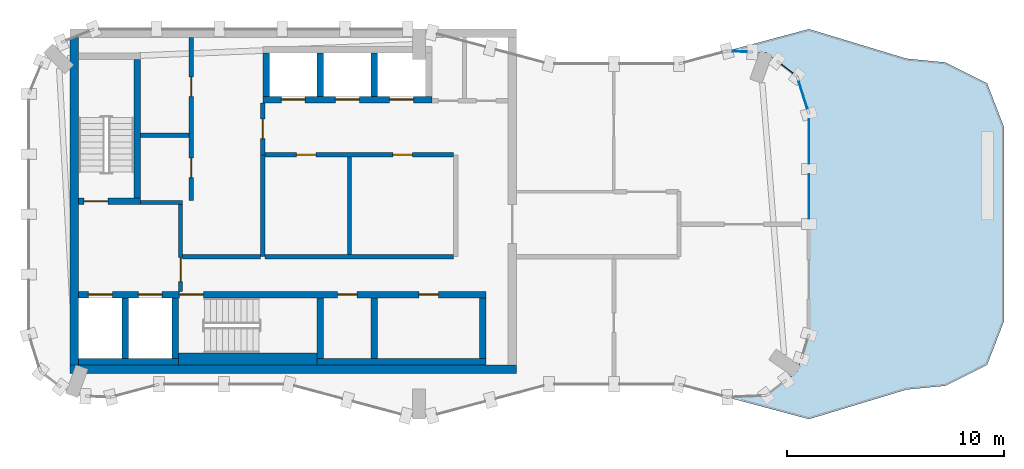
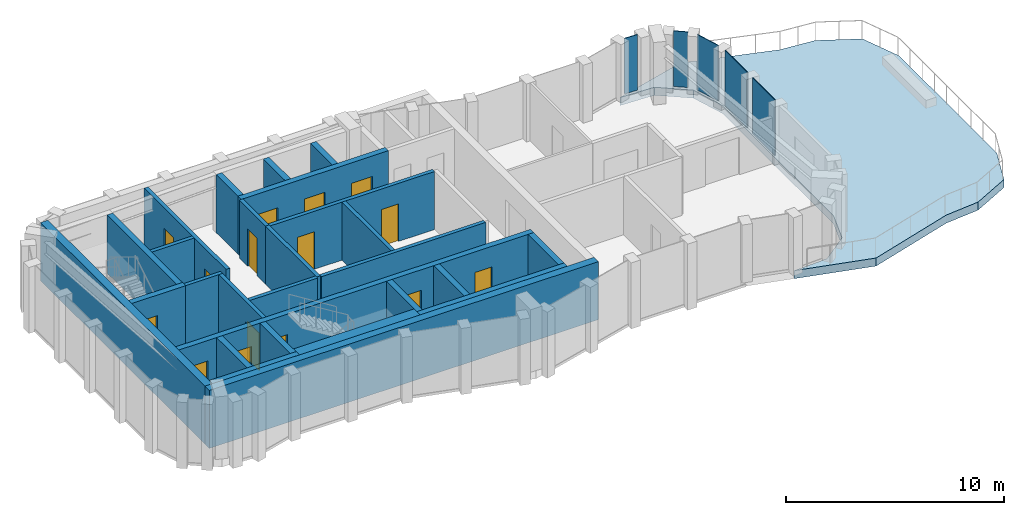
# One storey, part 3 of 5: 27 walls, 15 doors, 5 plates, 1 slab, 15 openings, 4 elements without a shape of their own.
"""IFC4 building model written with IfcOpenShell, lengths in metres."""

from ifc_helpers import new_model, si_unit, direction, frame, frame_2d, origin, origin_2d, place, context, subcontext, project, spatial, polyline, rectangle, outline, extrude, material, layer, layer_set, type_object, element, fill, aggregate, save


model = new_model("IFC4")

# Units and contexts
model_context = context("Model", 3, precision=1e-05, world=origin(), true_north=direction((0.0, 1.0)))
body_context = subcontext(model_context, "Body", "Model", "MODEL_VIEW")
ifc_project = project(units=[si_unit("LENGTHUNIT", "METRE"), si_unit("AREAUNIT", "SQUARE_METRE"), si_unit("VOLUMEUNIT", "CUBIC_METRE"), si_unit("PLANEANGLEUNIT", "RADIAN"), si_unit("MASSUNIT", "GRAM", prefix="KILO")], contexts=[model_context])

# Site, building, storey
site_placement = place(None, origin())
site = spatial("IfcSite", under=ifc_project, at=site_placement, CompositionType="ELEMENT")
building_placement = place(site_placement, origin())
building = spatial("IfcBuilding", under=site, at=building_placement, Name="Plateau Cross Towers", CompositionType="ELEMENT")
storey_placement = place(building_placement, frame((0.0, 0.0, 294.89990234375)))
storey = spatial("IfcBuildingStorey", under=building, at=storey_placement, Name="L78 Crown 2", CompositionType="ELEMENT", Elevation=294.89990234375)

# Curtain wall, plates
ifc_material_1 = material(Name="Dark low-iron glass", Category="glass")
ifc_layer_1 = layer(ifc_material_1, 0.800048828125)
ifc_layer_set_1 = layer_set([ifc_layer_1], Name="Dark low-iron glass")
curtain_wall_type = type_object("IfcCurtainWallType", Name="Curtain wall sky lounge CW-D", PredefinedType="NOTDEFINED", material=ifc_layer_set_1)
curtain_wall_1_placement = place(storey_placement, origin())
curtain_wall_1 = element("IfcCurtainWall", 1, at=curtain_wall_1_placement, inside=storey, type_object=curtain_wall_type, Name="ENV/A/L78 Crown 2/A360_90", PredefinedType="NOTDEFINED")
ifc_layer_2 = layer(ifc_material_1, 0.0400390625)
ifc_layer_set_2 = layer_set([ifc_layer_2], Name="Dark low-iron glass")
plate_type = type_object("IfcPlateType", Name="Glass panel 40 sky lounge", PredefinedType="CURTAIN_PANEL", material=ifc_layer_set_2)
plate_1_placement = place(storey_placement, frame((36.0, 10.272705078125, 0.14013671875), z_axis=(0.0, 0.0, 1.0), x_axis=(0.0, 1.0, 0.0)))
plate_1 = element("IfcPlate", 2, at=plate_1_placement, type_object=plate_type, Name="CW-D panel 1", PredefinedType="CURTAIN_PANEL", context=body_context, shape_type="SweptSolid", body=[
    extrude(rectangle(XDim=2.04541015625, YDim=0.0400390625, at=origin_2d()), origin(), (0.0, 0.0, 1.0), 3.110107421875),
])
plate_2_placement = place(storey_placement, frame((36.0, 12.818115234375, 0.14013671875), z_axis=(0.0, 0.0, 1.0), x_axis=(0.0, 1.0, 0.0)))
plate_2 = element("IfcPlate", 3, at=plate_2_placement, type_object=plate_type, Name="CW-D panel 2", PredefinedType="CURTAIN_PANEL", context=body_context, shape_type="SweptSolid", body=[
    extrude(rectangle(XDim=2.04541015625, YDim=0.0400390625, at=origin_2d()), origin(), (0.0, 0.0, 1.0), 3.110107421875),
])
aggregate(curtain_wall_1, [plate_1, plate_2])

# Curtain wall, plate
curtain_wall_2_placement = place(storey_placement, origin())
curtain_wall_2 = element("IfcCurtainWall", 4, at=curtain_wall_2_placement, inside=storey, type_object=curtain_wall_type, Name="ENV/A/L78 Crown 2/A360_141", PredefinedType="NOTDEFINED")
plate_3_placement = place(storey_placement, frame((35.728759765625, 14.951171875, 0.14013671875), z_axis=(0.0, 0.0, 1.0), x_axis=(-0.300686174994, 0.95372313811, 0.0)))
plate_3 = element("IfcPlate", 5, at=plate_3_placement, type_object=plate_type, Name="CW-D panel 1", PredefinedType="CURTAIN_PANEL", context=body_context, shape_type="SweptSolid", body=[
    extrude(rectangle(XDim=1.30419921875, YDim=0.0400390625, at=origin_2d()), origin(), (0.0, 0.0, 1.0), 3.110107421875),
])
aggregate(curtain_wall_2, [plate_3])

curtain_wall_3_placement = place(storey_placement, origin())
curtain_wall_3 = element("IfcCurtainWall", 6, at=curtain_wall_3_placement, inside=storey, type_object=curtain_wall_type, Name="ENV/A/L78 Crown 2/A355_158", PredefinedType="NOTDEFINED")
plate_4_placement = place(storey_placement, frame((34.994873046875, 16.16650390625, 0.14013671875), z_axis=(0.0, 0.0, 1.0), x_axis=(-0.793315514529, 0.608810721331, 0.0)))
plate_4 = element("IfcPlate", 7, at=plate_4_placement, type_object=plate_type, Name="CW-D panel 1", PredefinedType="CURTAIN_PANEL", context=body_context, shape_type="SweptSolid", body=[
    extrude(rectangle(XDim=0.666259765625, YDim=0.0400390625, at=origin_2d()), origin(), (0.0, 0.0, 1.0), 3.110107421875),
])
aggregate(curtain_wall_3, [plate_4])

curtain_wall_4_placement = place(storey_placement, origin())
curtain_wall_4 = element("IfcCurtainWall", 8, at=curtain_wall_4_placement, inside=storey, type_object=curtain_wall_type, Name="ENV/A/L78 Crown 2/A334_169", PredefinedType="NOTDEFINED")
plate_5_placement = place(storey_placement, frame((32.806396484375, 16.963134765625, 0.14013671875), z_axis=(0.0, 0.0, 1.0), x_axis=(-0.999043701491, 0.043722791671, 0.0)))
plate_5 = element("IfcPlate", 9, at=plate_5_placement, type_object=plate_type, Name="CW-D panel 1", PredefinedType="CURTAIN_PANEL", context=body_context, shape_type="SweptSolid", body=[
    extrude(rectangle(XDim=0.666259765625, YDim=0.0400390625, at=origin_2d()), origin(), (0.0, 0.0, 1.0), 3.110107421875),
])
aggregate(curtain_wall_4, [plate_5])

# Slab
ifc_material_2 = material(Name="Concrete C40/50", Category="concrete")
ifc_layer_3 = layer(ifc_material_2, 0.449951171875)
ifc_layer_set_3 = layer_set([ifc_layer_3], Name="Concrete C40/50")
slab_type = type_object("IfcSlabType", Name="Post-tensioned deck slab 450", PredefinedType="FLOOR", material=ifc_layer_set_3)
slab_placement = place(storey_placement, frame((0.0, 0.0, -0.449951171875)))
element("IfcSlab", 10, at=slab_placement, inside=storey, type_object=slab_type, Name="SL-A-terrace-2", PredefinedType="FLOOR", context=body_context, shape_type="SweptSolid", body=[
    extrude(outline(polyline([(42.289794921875, 16.463134765625), (44.221435546875, 15.493408203125), (45.0, 13.47705078125), (45.0, 4.52294921875), (44.221435546875, 2.506591796875), (42.289794921875, 1.536865234375), (40.5, 1.36328125), (36.0, 0.0), (32.2392578125, 1.007080078125), (32.23974609375, 1.011962890625), (34.0263671875, 1.090087890625), (35.45751953125, 2.1884765625), (36.0, 3.9091796875), (36.0, 14.0908203125), (35.45751953125, 15.8115234375), (34.0263671875, 16.909912109375), (32.23974609375, 16.988037109375), (32.2392578125, 16.992919921875), (36.0, 18.0), (40.5, 16.63671875), (42.289794921875, 16.463134765625)])), origin(), (0.0, 0.0, 1.0), 0.449951171875),
])

# Wall, opening, door
ifc_material_3 = material(Name="Concrete block, plastered both sides", Category="concrete")
ifc_layer_4 = layer(ifc_material_3, 0.199951171875)
ifc_layer_set_4 = layer_set([ifc_layer_4], Name="Concrete block, plastered both sides")
wall_type_1 = type_object("IfcWallType", Name="Core partition 200", PredefinedType="PARTITIONING", material=ifc_layer_set_4)
wall_1_placement = place(storey_placement, frame((7.0, 5.89990234375, 0.0), z_axis=(0.0, 0.0, 1.0), x_axis=(0.0, 1.0, 0.0)))
wall_1 = element("IfcWall", 11, at=wall_1_placement, inside=storey, type_object=wall_type_1, Name="Core partition", PredefinedType="PARTITIONING", context=body_context, shape_type="SweptSolid", body=[
    extrude(rectangle(XDim=4.0, YDim=0.199951171875, at=frame_2d((2.0, 0.0))), origin(), (0.0, 0.0, 1.0), 3.25),
])
opening_1_placement = place(wall_1_placement, frame((0.449951171875, 0.0, 0.0)))
opening_1 = element("IfcOpeningElement", 12, at=opening_1_placement, cuts=wall_1, Name="Opening FFD", PredefinedType="OPENING", context=body_context, shape_type="SweptSolid", body=[
    extrude(rectangle(XDim=1.10009765625, YDim=2.10009765625, at=frame_2d((0.550048828125, 1.050048828125))), frame((0.0, 0.10986328125, 0.0), z_axis=(0.0, -1.0, 0.0), x_axis=(1.0, 0.0, 0.0)), (0.0, 0.0, 1.0), 0.219970703125),
])
ifc_material_4 = material(Name="Steel, fire-resisting leaf", Category="steel")
door_type_1 = type_object("IfcDoorType", Name="Firefighting lobby door 1100", OperationType="NOTDEFINED", PredefinedType="DOOR", material=ifc_material_4)
door_1_placement = place(opening_1_placement, origin())
door_1 = element("IfcDoor", 13, at=door_1_placement, inside=storey, type_object=door_type_1, Name="Firefighting lobby door FFD", OperationType="SINGLE_SWING_LEFT", OverallHeight=2.10009765625, OverallWidth=1.10009765625, PredefinedType="DOOR", context=body_context, shape_type="SweptSolid", body=[
    extrude(rectangle(XDim=1.10009765625, YDim=2.10009765625, at=frame_2d((0.550048828125, 1.050048828125))), frame((0.0, 0.02490234375, 0.0), z_axis=(0.0, -1.0, 0.0), x_axis=(1.0, 0.0, 0.0)), (0.0, 0.0, 1.0), 0.050048828125),
])
fill(opening_1, door_1)

# Walls
wall_2_placement = place(storey_placement, frame((5.14990234375, 10.0, 0.0), z_axis=(0.0, 0.0, 1.0), x_axis=(1.0, 0.0, 0.0)))
element("IfcWall", 14, at=wall_2_placement, inside=storey, type_object=wall_type_1, Name="Core partition", PredefinedType="PARTITIONING", context=body_context, shape_type="SweptSolid", body=[
    extrude(rectangle(XDim=1.9501953125, YDim=0.199951171875, at=frame_2d((0.97509765625, 0.0))), origin(), (0.0, 0.0, 1.0), 3.25),
])
wall_3_placement = place(storey_placement, frame((7.10009765625, 7.5, 0.0), z_axis=(0.0, 0.0, 1.0), x_axis=(1.0, 0.0, 0.0)))
element("IfcWall", 15, at=wall_3_placement, inside=storey, type_object=wall_type_1, Name="Core partition", PredefinedType="PARTITIONING", context=body_context, shape_type="SweptSolid", body=[
    extrude(rectangle(XDim=3.599853515625, YDim=0.199951171875, at=frame_2d((1.7998046875, 0.0))), origin(), (0.0, 0.0, 1.0), 3.25),
])

# Wall, opening, door
wall_4_placement = place(storey_placement, frame((10.800048828125, 12.199951171875, 0.0), z_axis=(0.0, 0.0, 1.0), x_axis=(0.0, 1.0, 0.0)))
wall_4 = element("IfcWall", 16, at=wall_4_placement, inside=storey, type_object=wall_type_1, Name="Core partition", PredefinedType="PARTITIONING", context=body_context, shape_type="SweptSolid", body=[
    extrude(rectangle(XDim=2.400146484375, YDim=0.199951171875, at=frame_2d((1.2001953125, 0.0))), origin(), (0.0, 0.0, 1.0), 3.25),
])
opening_2_placement = place(wall_4_placement, frame((0.75, 0.0, 0.0)))
opening_2 = element("IfcOpeningElement", 17, at=opening_2_placement, cuts=wall_4, Name="Opening RD1", PredefinedType="OPENING", context=body_context, shape_type="SweptSolid", body=[
    extrude(rectangle(XDim=0.89990234375, YDim=2.10009765625, at=frame_2d((0.449951171875, 1.050048828125))), frame((0.0, 0.10986328125, 0.0), z_axis=(0.0, -1.0, 0.0), x_axis=(1.0, 0.0, 0.0)), (0.0, 0.0, 1.0), 0.219970703125),
])
ifc_material_5 = material(Name="Timber, fire-resisting leaf", Category="wood")
door_type_2 = type_object("IfcDoorType", Name="Core service door 900", OperationType="NOTDEFINED", PredefinedType="DOOR", material=ifc_material_5)
door_2_placement = place(opening_2_placement, origin())
door_2 = element("IfcDoor", 18, at=door_2_placement, inside=storey, type_object=door_type_2, Name="Core service door RD1", OperationType="SINGLE_SWING_LEFT", OverallHeight=2.10009765625, OverallWidth=0.89990234375, PredefinedType="DOOR", context=body_context, shape_type="SweptSolid", body=[
    extrude(rectangle(XDim=0.89990234375, YDim=2.10009765625, at=frame_2d((0.449951171875, 1.050048828125))), frame((0.0, 0.02490234375, 0.0), z_axis=(0.0, -1.0, 0.0), x_axis=(1.0, 0.0, 0.0)), (0.0, 0.0, 1.0), 0.050048828125),
])
fill(opening_2, door_2)

# Walls
wall_5_placement = place(storey_placement, frame((10.800048828125, 7.5, 0.0), z_axis=(0.0, 0.0, 1.0), x_axis=(0.0, 1.0, 0.0)))
element("IfcWall", 19, at=wall_5_placement, inside=storey, type_object=wall_type_1, Name="Core partition", PredefinedType="PARTITIONING", context=body_context, shape_type="SweptSolid", body=[
    extrude(rectangle(XDim=4.699951171875, YDim=0.199951171875, at=frame_2d((2.35009765625, 0.0))), origin(), (0.0, 0.0, 1.0), 3.25),
])
wall_6_placement = place(storey_placement, frame((10.89990234375, 7.5, 0.0), z_axis=(0.0, 0.0, 1.0), x_axis=(1.0, 0.0, 0.0)))
element("IfcWall", 20, at=wall_6_placement, inside=storey, type_object=wall_type_1, Name="Core partition", PredefinedType="PARTITIONING", context=body_context, shape_type="SweptSolid", body=[
    extrude(rectangle(XDim=8.7001953125, YDim=0.199951171875, at=frame_2d((4.35009765625, 0.0))), origin(), (0.0, 0.0, 1.0), 3.25),
])

# Wall, openings, doors
wall_7_placement = place(storey_placement, frame((10.89990234375, 12.199951171875, 0.0), z_axis=(0.0, 0.0, 1.0), x_axis=(1.0, 0.0, 0.0)))
wall_7 = element("IfcWall", 21, at=wall_7_placement, inside=storey, type_object=wall_type_1, Name="Core partition", PredefinedType="PARTITIONING", context=body_context, shape_type="SweptSolid", body=[
    extrude(rectangle(XDim=8.7001953125, YDim=0.199951171875, at=frame_2d((4.35009765625, 0.0))), origin(), (0.0, 0.0, 1.0), 3.25),
])
opening_3_placement = place(wall_7_placement, frame((1.449951171875, 0.0, 0.0)))
opening_3 = element("IfcOpeningElement", 22, at=opening_3_placement, cuts=wall_7, Name="Opening RD1", PredefinedType="OPENING", context=body_context, shape_type="SweptSolid", body=[
    extrude(rectangle(XDim=0.89990234375, YDim=2.10009765625, at=frame_2d((0.449951171875, 1.050048828125))), frame((0.0, 0.10986328125, 0.0), z_axis=(0.0, -1.0, 0.0), x_axis=(1.0, 0.0, 0.0)), (0.0, 0.0, 1.0), 0.219970703125),
])
opening_4_placement = place(wall_7_placement, frame((5.89990234375, 0.0, 0.0)))
opening_4 = element("IfcOpeningElement", 23, at=opening_4_placement, cuts=wall_7, Name="Opening RD1", PredefinedType="OPENING", context=body_context, shape_type="SweptSolid", body=[
    extrude(rectangle(XDim=0.89990234375, YDim=2.10009765625, at=frame_2d((0.449951171875, 1.050048828125))), frame((0.0, 0.10986328125, 0.0), z_axis=(0.0, -1.0, 0.0), x_axis=(1.0, 0.0, 0.0)), (0.0, 0.0, 1.0), 0.219970703125),
])
door_3_placement = place(opening_3_placement, origin())
door_3 = element("IfcDoor", 24, at=door_3_placement, inside=storey, type_object=door_type_2, Name="Core service door RD1", OperationType="SINGLE_SWING_LEFT", OverallHeight=2.10009765625, OverallWidth=0.89990234375, PredefinedType="DOOR", context=body_context, shape_type="SweptSolid", body=[
    extrude(rectangle(XDim=0.89990234375, YDim=2.10009765625, at=frame_2d((0.449951171875, 1.050048828125))), frame((0.0, 0.02490234375, 0.0), z_axis=(0.0, -1.0, 0.0), x_axis=(1.0, 0.0, 0.0)), (0.0, 0.0, 1.0), 0.050048828125),
])
fill(opening_3, door_3)
door_4_placement = place(opening_4_placement, origin())
door_4 = element("IfcDoor", 25, at=door_4_placement, inside=storey, type_object=door_type_2, Name="Core service door RD1", OperationType="SINGLE_SWING_LEFT", OverallHeight=2.10009765625, OverallWidth=0.89990234375, PredefinedType="DOOR", context=body_context, shape_type="SweptSolid", body=[
    extrude(rectangle(XDim=0.89990234375, YDim=2.10009765625, at=frame_2d((0.449951171875, 1.050048828125))), frame((0.0, 0.02490234375, 0.0), z_axis=(0.0, -1.0, 0.0), x_axis=(1.0, 0.0, 0.0)), (0.0, 0.0, 1.0), 0.050048828125),
])
fill(opening_4, door_4)

# Wall
wall_8_placement = place(storey_placement, frame((14.800048828125, 7.60009765625, 0.0), z_axis=(0.0, 0.0, 1.0), x_axis=(0.0, 1.0, 0.0)))
element("IfcWall", 26, at=wall_8_placement, inside=storey, type_object=wall_type_1, Name="Core partition", PredefinedType="PARTITIONING", context=body_context, shape_type="SweptSolid", body=[
    extrude(rectangle(XDim=4.5, YDim=0.199951171875, at=frame_2d((2.25, 0.0))), origin(), (0.0, 0.0, 1.0), 3.25),
])

# Wall, openings, doors
wall_9_placement = place(storey_placement, frame((7.5, 10.10009765625, 0.0), z_axis=(0.0, 0.0, 1.0), x_axis=(0.0, 1.0, 0.0)))
wall_9 = element("IfcWall", 27, at=wall_9_placement, inside=storey, type_object=wall_type_1, Name="Core partition", PredefinedType="PARTITIONING", context=body_context, shape_type="SweptSolid", body=[
    extrude(rectangle(XDim=7.5, YDim=0.199951171875, at=frame_2d((3.75, 0.0))), origin(), (0.0, 0.0, 1.0), 3.25),
])
opening_5_placement = place(wall_9_placement, frame((1.050048828125, 0.0, 0.0)))
opening_5 = element("IfcOpeningElement", 28, at=opening_5_placement, cuts=wall_9, Name="Opening RD1", PredefinedType="OPENING", context=body_context, shape_type="SweptSolid", body=[
    extrude(rectangle(XDim=0.89990234375, YDim=2.10009765625, at=frame_2d((0.449951171875, 1.050048828125))), frame((0.0, 0.10986328125, 0.0), z_axis=(0.0, -1.0, 0.0), x_axis=(1.0, 0.0, 0.0)), (0.0, 0.0, 1.0), 0.219970703125),
])
opening_6_placement = place(wall_9_placement, frame((4.800048828125, 0.0, 0.0)))
opening_6 = element("IfcOpeningElement", 29, at=opening_6_placement, cuts=wall_9, Name="Opening RD1", PredefinedType="OPENING", context=body_context, shape_type="SweptSolid", body=[
    extrude(rectangle(XDim=0.89990234375, YDim=2.10009765625, at=frame_2d((0.449951171875, 1.050048828125))), frame((0.0, 0.10986328125, 0.0), z_axis=(0.0, -1.0, 0.0), x_axis=(1.0, 0.0, 0.0)), (0.0, 0.0, 1.0), 0.219970703125),
])
door_5_placement = place(opening_5_placement, origin())
door_5 = element("IfcDoor", 30, at=door_5_placement, inside=storey, type_object=door_type_2, Name="Core service door RD1", OperationType="SINGLE_SWING_RIGHT", OverallHeight=2.10009765625, OverallWidth=0.89990234375, PredefinedType="DOOR", context=body_context, shape_type="SweptSolid", body=[
    extrude(rectangle(XDim=0.89990234375, YDim=2.10009765625, at=frame_2d((0.449951171875, 1.050048828125))), frame((0.0, 0.02490234375, 0.0), z_axis=(0.0, -1.0, 0.0), x_axis=(1.0, 0.0, 0.0)), (0.0, 0.0, 1.0), 0.050048828125),
])
fill(opening_5, door_5)
door_6_placement = place(opening_6_placement, origin())
door_6 = element("IfcDoor", 31, at=door_6_placement, inside=storey, type_object=door_type_2, Name="Core service door RD1", OperationType="SINGLE_SWING_RIGHT", OverallHeight=2.10009765625, OverallWidth=0.89990234375, PredefinedType="DOOR", context=body_context, shape_type="SweptSolid", body=[
    extrude(rectangle(XDim=0.89990234375, YDim=2.10009765625, at=frame_2d((0.449951171875, 1.050048828125))), frame((0.0, 0.02490234375, 0.0), z_axis=(0.0, -1.0, 0.0), x_axis=(1.0, 0.0, 0.0)), (0.0, 0.0, 1.0), 0.050048828125),
])
fill(opening_6, door_6)

# Walls
wall_10_placement = place(storey_placement, frame((5.14990234375, 13.10009765625, 0.0), z_axis=(0.0, 0.0, 1.0), x_axis=(1.0, 0.0, 0.0)))
element("IfcWall", 32, at=wall_10_placement, inside=storey, type_object=wall_type_1, Name="Core partition", PredefinedType="PARTITIONING", context=body_context, shape_type="SweptSolid", body=[
    extrude(rectangle(XDim=2.25, YDim=0.199951171875, at=frame_2d((1.125, 0.0))), origin(), (0.0, 0.0, 1.0), 3.25),
])
ifc_material_6 = material(Name="Concrete C60/75", Category="concrete")
ifc_layer_5 = layer(ifc_material_6, 0.300048828125)
ifc_layer_set_5 = layer_set([ifc_layer_5], Name="Concrete C60/75")
wall_type_2 = type_object("IfcWallType", Name="Core shaft wall 300", PredefinedType="SHEAR", material=ifc_layer_set_5)
wall_11_placement = place(storey_placement, frame((2.300048828125, 2.64990234375, 0.0), z_axis=(0.0, 0.0, 1.0), x_axis=(1.0, 0.0, 0.0)))
element("IfcWall", 33, at=wall_11_placement, inside=storey, type_object=wall_type_2, Name="A-sb-back1@L78 Crown 2", PredefinedType="SHEAR", context=body_context, shape_type="SweptSolid", body=[
    extrude(rectangle(XDim=4.599853515625, YDim=0.300048828125, at=frame_2d((2.2998046875, 0.0))), origin(), (0.0, 0.0, 1.0), 3.25),
])
wall_12_placement = place(storey_placement, frame((13.300048828125, 2.64990234375, 0.0), z_axis=(0.0, 0.0, 1.0), x_axis=(1.0, 0.0, 0.0)))
element("IfcWall", 34, at=wall_12_placement, inside=storey, type_object=wall_type_2, Name="A-sb-back3@L78 Crown 2", PredefinedType="SHEAR", context=body_context, shape_type="SweptSolid", body=[
    extrude(rectangle(XDim=7.800048828125, YDim=0.300048828125, at=frame_2d((3.89990234375, 0.0))), origin(), (0.0, 0.0, 1.0), 3.25),
])
for number, where, z_axis, x_axis, name in (
    (35, (4.449951171875, 2.800048828125, 0.0), (0.0, 0.0, 1.0), (0.0, 1.0, 0.0), "A-sb-v1@L78 Crown 2"),
    (36, (6.75, 2.800048828125, 0.0), (0.0, 0.0, 1.0), (0.0, 1.0, 0.0), "A-sb-v2@L78 Crown 2"),
    (37, (13.449951171875, 2.800048828125, 0.0), (0.0, 0.0, 1.0), (0.0, 1.0, 0.0), "A-sb-v3@L78 Crown 2"),
    (38, (15.949951171875, 2.800048828125, 0.0), (0.0, 0.0, 1.0), (0.0, 1.0, 0.0), "A-sb-v4@L78 Crown 2"),
    (39, (20.949951171875, 2.800048828125, 0.0), (0.0, 0.0, 1.0), (0.0, 1.0, 0.0), "A-sb-v6@L78 Crown 2"),
):
    element("IfcWall", number, at=place(storey_placement, frame(where, z_axis=z_axis, x_axis=x_axis)), inside=storey, type_object=wall_type_2, Name=name, PredefinedType="SHEAR", context=body_context, shape_type="SweptSolid", body=[
        extrude(rectangle(XDim=2.800048828125, YDim=0.300048828125, at=frame_2d((1.39990234375, 0.0))), origin(), (0.0, 0.0, 1.0), 3.25),
    ])

# Wall, openings, doors
wall_13_placement = place(storey_placement, frame((2.300048828125, 5.75, 0.0), z_axis=(0.0, 0.0, 1.0), x_axis=(1.0, 0.0, 0.0)))
wall_13 = element("IfcWall", 40, at=wall_13_placement, inside=storey, type_object=wall_type_2, Name="A-sb-front@L78 Crown 2", PredefinedType="SHEAR", context=body_context, shape_type="SweptSolid", body=[
    extrude(rectangle(XDim=18.800048828125, YDim=0.300048828125, at=frame_2d((9.39990234375, 0.0))), origin(), (0.0, 0.0, 1.0), 3.25),
])
opening_7_placement = place(wall_13_placement, frame((4.64990234375, 0.0, 0.0)))
opening_7 = element("IfcOpeningElement", 41, at=opening_7_placement, cuts=wall_13, Name="Opening SD", PredefinedType="OPENING", context=body_context, shape_type="SweptSolid", body=[
    extrude(rectangle(XDim=1.10009765625, YDim=2.10009765625, at=frame_2d((0.550048828125, 1.050048828125))), frame((0.0, 0.159912109375, 0.0), z_axis=(0.0, -1.0, 0.0), x_axis=(1.0, 0.0, 0.0)), (0.0, 0.0, 1.0), 0.320068359375),
])
opening_8_placement = place(wall_13_placement, frame((0.449951171875, 0.0, 0.0)))
opening_8 = element("IfcOpeningElement", 42, at=opening_8_placement, cuts=wall_13, Name="Opening LD", PredefinedType="OPENING", context=body_context, shape_type="SweptSolid", body=[
    extrude(rectangle(XDim=1.10009765625, YDim=2.10009765625, at=frame_2d((0.550048828125, 1.050048828125))), frame((0.0, 0.159912109375, 0.0), z_axis=(0.0, -1.0, 0.0), x_axis=(1.0, 0.0, 0.0)), (0.0, 0.0, 1.0), 0.320068359375),
])
opening_9_placement = place(wall_13_placement, frame((2.75, 0.0, 0.0)))
opening_9 = element("IfcOpeningElement", 43, at=opening_9_placement, cuts=wall_13, Name="Opening LD", PredefinedType="OPENING", context=body_context, shape_type="SweptSolid", body=[
    extrude(rectangle(XDim=1.10009765625, YDim=2.10009765625, at=frame_2d((0.550048828125, 1.050048828125))), frame((0.0, 0.159912109375, 0.0), z_axis=(0.0, -1.0, 0.0), x_axis=(1.0, 0.0, 0.0)), (0.0, 0.0, 1.0), 0.320068359375),
])
opening_10_placement = place(wall_13_placement, frame((11.949951171875, 0.0, 0.0)))
opening_10 = element("IfcOpeningElement", 44, at=opening_10_placement, cuts=wall_13, Name="Opening RD2", PredefinedType="OPENING", context=body_context, shape_type="SweptSolid", body=[
    extrude(rectangle(XDim=0.89990234375, YDim=2.10009765625, at=frame_2d((0.449951171875, 1.050048828125))), frame((0.0, 0.159912109375, 0.0), z_axis=(0.0, -1.0, 0.0), x_axis=(1.0, 0.0, 0.0)), (0.0, 0.0, 1.0), 0.320068359375),
])
opening_11_placement = place(wall_13_placement, frame((15.699951171875, 0.0, 0.0)))
opening_11 = element("IfcOpeningElement", 45, at=opening_11_placement, cuts=wall_13, Name="Opening RD2", PredefinedType="OPENING", context=body_context, shape_type="SweptSolid", body=[
    extrude(rectangle(XDim=0.89990234375, YDim=2.10009765625, at=frame_2d((0.449951171875, 1.050048828125))), frame((0.0, 0.159912109375, 0.0), z_axis=(0.0, -1.0, 0.0), x_axis=(1.0, 0.0, 0.0)), (0.0, 0.0, 1.0), 0.320068359375),
])
door_type_3 = type_object("IfcDoorType", Name="Core riser door 900", OperationType="NOTDEFINED", PredefinedType="DOOR", material=ifc_material_4)
door_7_placement = place(opening_10_placement, origin())
door_7 = element("IfcDoor", 46, at=door_7_placement, inside=storey, type_object=door_type_3, Name="Core riser door RD2", OperationType="SINGLE_SWING_LEFT", OverallHeight=2.10009765625, OverallWidth=0.89990234375, PredefinedType="DOOR", context=body_context, shape_type="SweptSolid", body=[
    extrude(rectangle(XDim=0.89990234375, YDim=2.10009765625, at=frame_2d((0.449951171875, 1.050048828125))), frame((0.0, 0.02490234375, 0.0), z_axis=(0.0, -1.0, 0.0), x_axis=(1.0, 0.0, 0.0)), (0.0, 0.0, 1.0), 0.050048828125),
])
fill(opening_10, door_7)
door_8_placement = place(opening_11_placement, origin())
door_8 = element("IfcDoor", 47, at=door_8_placement, inside=storey, type_object=door_type_3, Name="Core riser door RD2", OperationType="SINGLE_SWING_LEFT", OverallHeight=2.10009765625, OverallWidth=0.89990234375, PredefinedType="DOOR", context=body_context, shape_type="SweptSolid", body=[
    extrude(rectangle(XDim=0.89990234375, YDim=2.10009765625, at=frame_2d((0.449951171875, 1.050048828125))), frame((0.0, 0.02490234375, 0.0), z_axis=(0.0, -1.0, 0.0), x_axis=(1.0, 0.0, 0.0)), (0.0, 0.0, 1.0), 0.050048828125),
])
fill(opening_11, door_8)
ifc_material_7 = material(Name="Stainless steel, fire-resisting sliding leaves", Category="steel")
door_type_4 = type_object("IfcDoorType", Name="Lift landing door 1100", OperationType="NOTDEFINED", PredefinedType="DOOR", material=ifc_material_7)
door_9_placement = place(opening_8_placement, origin())
door_9 = element("IfcDoor", 48, at=door_9_placement, inside=storey, type_object=door_type_4, Name="Lift landing door LD", OperationType="DOUBLE_DOOR_SLIDING", OverallHeight=2.10009765625, OverallWidth=1.10009765625, PredefinedType="DOOR", context=body_context, shape_type="SweptSolid", body=[
    extrude(rectangle(XDim=1.10009765625, YDim=2.10009765625, at=frame_2d((0.550048828125, 1.050048828125))), frame((0.0, 0.02490234375, 0.0), z_axis=(0.0, -1.0, 0.0), x_axis=(1.0, 0.0, 0.0)), (0.0, 0.0, 1.0), 0.050048828125),
])
fill(opening_8, door_9)
door_10_placement = place(opening_9_placement, origin())
door_10 = element("IfcDoor", 49, at=door_10_placement, inside=storey, type_object=door_type_4, Name="Lift landing door LD", OperationType="DOUBLE_DOOR_SLIDING", OverallHeight=2.10009765625, OverallWidth=1.10009765625, PredefinedType="DOOR", context=body_context, shape_type="SweptSolid", body=[
    extrude(rectangle(XDim=1.10009765625, YDim=2.10009765625, at=frame_2d((0.550048828125, 1.050048828125))), frame((0.0, 0.02490234375, 0.0), z_axis=(0.0, -1.0, 0.0), x_axis=(1.0, 0.0, 0.0)), (0.0, 0.0, 1.0), 0.050048828125),
])
fill(opening_9, door_10)
door_type_5 = type_object("IfcDoorType", Name="Stair door 1100", OperationType="NOTDEFINED", PredefinedType="DOOR", material=ifc_material_4)
door_11_placement = place(opening_7_placement, origin())
door_11 = element("IfcDoor", 50, at=door_11_placement, inside=storey, type_object=door_type_5, Name="Stair door SD", OperationType="SINGLE_SWING_LEFT", OverallHeight=2.10009765625, OverallWidth=1.10009765625, PredefinedType="DOOR", context=body_context, shape_type="SweptSolid", body=[
    extrude(rectangle(XDim=1.10009765625, YDim=2.10009765625, at=frame_2d((0.550048828125, 1.050048828125))), frame((0.0, 0.02490234375, 0.0), z_axis=(0.0, -1.0, 0.0), x_axis=(1.0, 0.0, 0.0)), (0.0, 0.0, 1.0), 0.050048828125),
])
fill(opening_7, door_11)

# Wall, opening, door
wall_14_placement = place(storey_placement, frame((2.300048828125, 10.050048828125, 0.0), z_axis=(0.0, 0.0, 1.0), x_axis=(1.0, 0.0, 0.0)))
wall_14 = element("IfcWall", 51, at=wall_14_placement, inside=storey, type_object=wall_type_2, Name="A-st1-S@L78 Crown 2", PredefinedType="SHEAR", context=body_context, shape_type="SweptSolid", body=[
    extrude(rectangle(XDim=2.849853515625, YDim=0.300048828125, at=frame_2d((1.4248046875, 0.0))), origin(), (0.0, 0.0, 1.0), 3.25),
])
opening_12_placement = place(wall_14_placement, frame((0.25, 0.0, 0.0)))
opening_12 = element("IfcOpeningElement", 52, at=opening_12_placement, cuts=wall_14, Name="Opening SD", PredefinedType="OPENING", context=body_context, shape_type="SweptSolid", body=[
    extrude(rectangle(XDim=1.10009765625, YDim=2.10009765625, at=frame_2d((0.550048828125, 1.050048828125))), frame((0.0, 0.159912109375, 0.0), z_axis=(0.0, -1.0, 0.0), x_axis=(1.0, 0.0, 0.0)), (0.0, 0.0, 1.0), 0.320068359375),
])
door_12_placement = place(opening_12_placement, origin())
door_12 = element("IfcDoor", 53, at=door_12_placement, inside=storey, type_object=door_type_5, Name="Stair door SD", OperationType="SINGLE_SWING_RIGHT", OverallHeight=2.10009765625, OverallWidth=1.10009765625, PredefinedType="DOOR", context=body_context, shape_type="SweptSolid", body=[
    extrude(rectangle(XDim=1.10009765625, YDim=2.10009765625, at=frame_2d((0.550048828125, 1.050048828125))), frame((0.0, 0.02490234375, 0.0), z_axis=(0.0, -1.0, 0.0), x_axis=(1.0, 0.0, 0.0)), (0.0, 0.0, 1.0), 0.050048828125),
])
fill(opening_12, door_12)

# Wall
wall_15_placement = place(storey_placement, frame((5.0, 10.199951171875, 0.0), z_axis=(0.0, 0.0, 1.0), x_axis=(0.0, 1.0, 0.0)))
element("IfcWall", 54, at=wall_15_placement, inside=storey, type_object=wall_type_2, Name="A-st1-E@L78 Crown 2", PredefinedType="SHEAR", context=body_context, shape_type="SweptSolid", body=[
    extrude(rectangle(XDim=6.400146484375, YDim=0.300048828125, at=frame_2d((3.2001953125, 0.0))), origin(), (0.0, 0.0, 1.0), 3.25),
])

# Wall, openings, doors
wall_16_placement = place(storey_placement, frame((10.800048828125, 14.75, 0.0), z_axis=(0.0, 0.0, 1.0), x_axis=(1.0, 0.0, 0.0)))
wall_16 = element("IfcWall", 55, at=wall_16_placement, inside=storey, type_object=wall_type_2, Name="A-nb-front@L78 Crown 2", PredefinedType="SHEAR", context=body_context, shape_type="SweptSolid", body=[
    extrude(rectangle(XDim=7.800048828125, YDim=0.300048828125, at=frame_2d((3.89990234375, 0.0))), origin(), (0.0, 0.0, 1.0), 3.25),
])
opening_13_placement = place(wall_16_placement, frame((0.85009765625, 0.0, 0.0)))
opening_13 = element("IfcOpeningElement", 56, at=opening_13_placement, cuts=wall_16, Name="Opening LD", PredefinedType="OPENING", context=body_context, shape_type="SweptSolid", body=[
    extrude(rectangle(XDim=1.10009765625, YDim=2.10009765625, at=frame_2d((0.550048828125, 1.050048828125))), frame((0.0, 0.159912109375, 0.0), z_axis=(0.0, -1.0, 0.0), x_axis=(1.0, 0.0, 0.0)), (0.0, 0.0, 1.0), 0.320068359375),
])
opening_14_placement = place(wall_16_placement, frame((3.35009765625, 0.0, 0.0)))
opening_14 = element("IfcOpeningElement", 57, at=opening_14_placement, cuts=wall_16, Name="Opening LD", PredefinedType="OPENING", context=body_context, shape_type="SweptSolid", body=[
    extrude(rectangle(XDim=1.10009765625, YDim=2.10009765625, at=frame_2d((0.550048828125, 1.050048828125))), frame((0.0, 0.159912109375, 0.0), z_axis=(0.0, -1.0, 0.0), x_axis=(1.0, 0.0, 0.0)), (0.0, 0.0, 1.0), 0.320068359375),
])
opening_15_placement = place(wall_16_placement, frame((5.85009765625, 0.0, 0.0)))
opening_15 = element("IfcOpeningElement", 58, at=opening_15_placement, cuts=wall_16, Name="Opening LD", PredefinedType="OPENING", context=body_context, shape_type="SweptSolid", body=[
    extrude(rectangle(XDim=1.10009765625, YDim=2.10009765625, at=frame_2d((0.550048828125, 1.050048828125))), frame((0.0, 0.159912109375, 0.0), z_axis=(0.0, -1.0, 0.0), x_axis=(1.0, 0.0, 0.0)), (0.0, 0.0, 1.0), 0.320068359375),
])
door_13_placement = place(opening_13_placement, origin())
door_13 = element("IfcDoor", 59, at=door_13_placement, inside=storey, type_object=door_type_4, Name="Lift landing door LD", OperationType="DOUBLE_DOOR_SLIDING", OverallHeight=2.10009765625, OverallWidth=1.10009765625, PredefinedType="DOOR", context=body_context, shape_type="SweptSolid", body=[
    extrude(rectangle(XDim=1.10009765625, YDim=2.10009765625, at=frame_2d((0.550048828125, 1.050048828125))), frame((0.0, 0.02490234375, 0.0), z_axis=(0.0, -1.0, 0.0), x_axis=(1.0, 0.0, 0.0)), (0.0, 0.0, 1.0), 0.050048828125),
])
fill(opening_13, door_13)
door_14_placement = place(opening_14_placement, origin())
door_14 = element("IfcDoor", 60, at=door_14_placement, inside=storey, type_object=door_type_4, Name="Lift landing door LD", OperationType="DOUBLE_DOOR_SLIDING", OverallHeight=2.10009765625, OverallWidth=1.10009765625, PredefinedType="DOOR", context=body_context, shape_type="SweptSolid", body=[
    extrude(rectangle(XDim=1.10009765625, YDim=2.10009765625, at=frame_2d((0.550048828125, 1.050048828125))), frame((0.0, 0.02490234375, 0.0), z_axis=(0.0, -1.0, 0.0), x_axis=(1.0, 0.0, 0.0)), (0.0, 0.0, 1.0), 0.050048828125),
])
fill(opening_14, door_14)
door_15_placement = place(opening_15_placement, origin())
door_15 = element("IfcDoor", 61, at=door_15_placement, inside=storey, type_object=door_type_4, Name="Lift landing door LD", OperationType="DOUBLE_DOOR_SLIDING", OverallHeight=2.10009765625, OverallWidth=1.10009765625, PredefinedType="DOOR", context=body_context, shape_type="SweptSolid", body=[
    extrude(rectangle(XDim=1.10009765625, YDim=2.10009765625, at=frame_2d((0.550048828125, 1.050048828125))), frame((0.0, 0.02490234375, 0.0), z_axis=(0.0, -1.0, 0.0), x_axis=(1.0, 0.0, 0.0)), (0.0, 0.0, 1.0), 0.050048828125),
])
fill(opening_15, door_15)

# Walls
for number, where, z_axis, x_axis, name in (
    (62, (10.949951171875, 14.89990234375, 0.0), (0.0, 0.0, 1.0), (0.0, 1.0, 0.0), "A-nb-v1@L78 Crown 2"),
    (63, (13.449951171875, 14.89990234375, 0.0), (0.0, 0.0, 1.0), (0.0, 1.0, 0.0), "A-nb-v2@L78 Crown 2"),
    (64, (15.949951171875, 14.89990234375, 0.0), (0.0, 0.0, 1.0), (0.0, 1.0, 0.0), "A-nb-v3@L78 Crown 2"),
):
    element("IfcWall", number, at=place(storey_placement, frame(where, z_axis=z_axis, x_axis=x_axis)), inside=storey, type_object=wall_type_2, Name=name, PredefinedType="SHEAR", context=body_context, shape_type="SweptSolid", body=[
        extrude(rectangle(XDim=2.0, YDim=0.300048828125, at=frame_2d((1.0, 0.0))), origin(), (0.0, 0.0, 1.0), 3.25),
    ])
ifc_layer_6 = layer(ifc_material_6, 0.550048828125)
ifc_layer_set_6 = layer_set([ifc_layer_6], Name="Concrete C60/75")
wall_type_3 = type_object("IfcWallType", Name="Core shaft wall 550", PredefinedType="SHEAR", material=ifc_layer_set_6)
wall_17_placement = place(storey_placement, frame((6.89990234375, 2.77490234375, 0.0), z_axis=(0.0, 0.0, 1.0), x_axis=(1.0, 0.0, 0.0)))
element("IfcWall", 65, at=wall_17_placement, inside=storey, type_object=wall_type_3, Name="A-sb-back2@L78 Crown 2", PredefinedType="SHEAR", context=body_context, shape_type="SweptSolid", body=[
    extrude(rectangle(XDim=6.400146484375, YDim=0.550048828125, at=frame_2d((3.2001953125, 0.0))), origin(), (0.0, 0.0, 1.0), 3.25),
])
ifc_layer_7 = layer(ifc_material_6, 0.39990234375)
ifc_layer_set_7 = layer_set([ifc_layer_7], Name="Concrete C60/75")
wall_type_4 = type_object("IfcWallType", Name="Core shell wall 400", PredefinedType="SHEAR", material=ifc_layer_set_7)
wall_18_placement = place(storey_placement, frame((1.89990234375, 2.300048828125, 0.0), z_axis=(0.0, 0.0, 1.0), x_axis=(1.0, 0.0, 0.0)))
element("IfcWall", 66, at=wall_18_placement, inside=storey, type_object=wall_type_4, Name="A-core-S@L78 Crown 2", PredefinedType="SHEAR", context=body_context, shape_type="SweptSolid", body=[
    extrude(rectangle(XDim=20.60009765625, YDim=0.39990234375, at=frame_2d((10.300048828125, 0.0))), origin(), (0.0, 0.0, 1.0), 3.25),
])
wall_19_placement = place(storey_placement, frame((2.10009765625, 2.5, 0.0), z_axis=(0.0, 0.0, 1.0), x_axis=(0.0, 1.0, 0.0)))
element("IfcWall", 67, at=wall_19_placement, inside=storey, type_object=wall_type_4, Name="A-core-W@L78 Crown 2", PredefinedType="SHEAR", context=body_context, shape_type="SweptSolid", body=[
    extrude(rectangle(XDim=15.10009765625, YDim=0.39990234375, at=frame_2d((7.550048828125, 0.0))), origin(), (0.0, 0.0, 1.0), 3.25),
])

save(model, "model.ifc")
